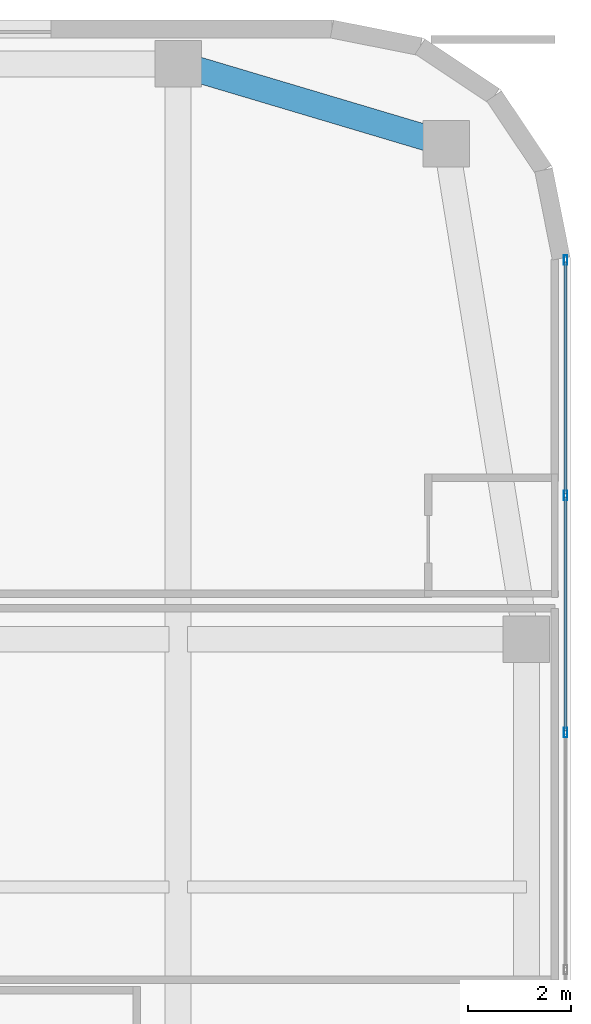
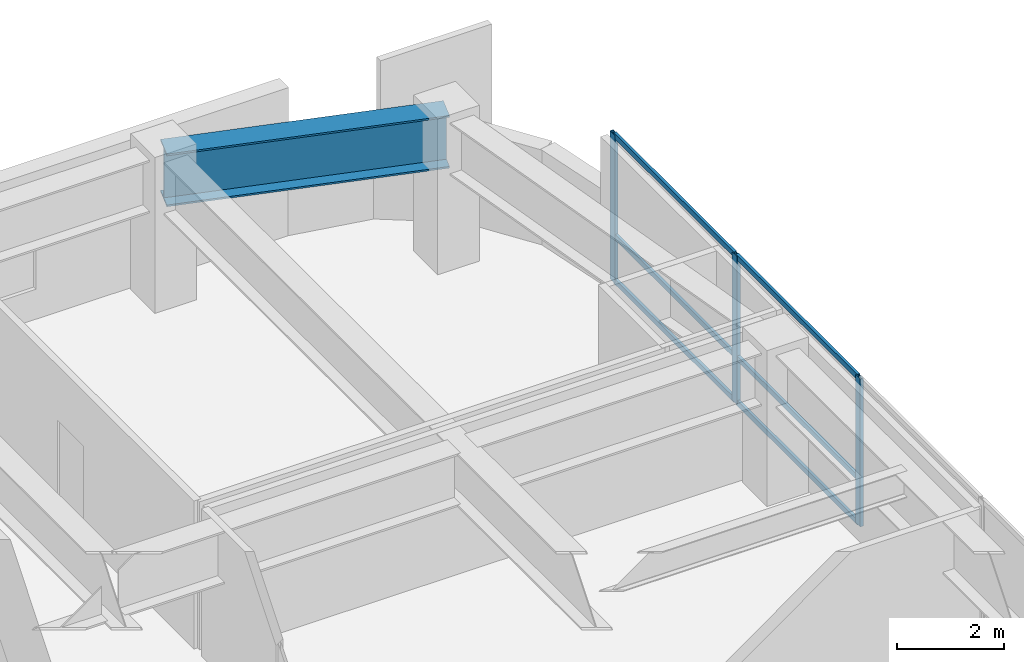
# One storey, part 14 of 25: 9 members, 1 beam, 1 element without a shape of its own.
"""IFC4 building model written with IfcOpenShell, lengths in metres."""

from ifc_helpers import new_model, si_unit, direction, frame, origin, origin_2d, place, context, subcontext, project, spatial, hollow_rectangle, i_section, extrude, source, transform, mapped, material, layer, layer_set, material_profile, profile_set, type_object, type_shapes, element, aggregate, save


model = new_model("IFC4")

# Units and contexts
model_context = context("Model", 3, precision=1e-05, world=origin(), true_north=direction((0.0, 1.0)))
body_context = subcontext(model_context, "Body", "Model", "MODEL_VIEW")
ifc_project = project(units=[si_unit("LENGTHUNIT", "METRE"), si_unit("AREAUNIT", "SQUARE_METRE"), si_unit("VOLUMEUNIT", "CUBIC_METRE"), si_unit("PLANEANGLEUNIT", "RADIAN"), si_unit("MASSUNIT", "GRAM", prefix="KILO")], contexts=[model_context])

# Site, building, storey
site_placement = place(None, origin())
site = spatial("IfcSite", under=ifc_project, at=site_placement, CompositionType="ELEMENT")
building_placement = place(site_placement, origin())
building = spatial("IfcBuilding", under=site, at=building_placement, Name="Tolvann Quenvar Hotel", CompositionType="ELEMENT")
storey_placement = place(building_placement, frame((0.0, 0.0, 122.199951171875)))
storey = spatial("IfcBuildingStorey", under=building, at=storey_placement, Name="L31", CompositionType="ELEMENT", Elevation=122.199951171875)

# Beam
ifc_material_1 = material(Name="Steel Grade 350", Category="steel")
ifc_material_profile_1 = material_profile(ifc_material_1, i_section(OverallWidth=0.5, OverallDepth=1.199951171875, WebThickness=0.01611328125, FlangeThickness=0.0400390625, at=origin_2d()), Name="1200WB455")
ifc_profile_set_1 = profile_set([ifc_material_profile_1], Name="Steel Grade 350")
beam_type = type_object("IfcBeamType", Name="BM_TG_1200WB455", PredefinedType="USERDEFINED", material=ifc_profile_set_1)
shared_shape_1 = source(origin(), body_context, "Body", "SweptSolid", [
    extrude(i_section(OverallWidth=0.5, OverallDepth=1.199951171875, WebThickness=0.01611328125, FlangeThickness=0.0400390625, at=origin_2d()), origin(), (0.0, 0.0, 1.0), 5.42626953125),
])
type_shapes(beam_type, [shared_shape_1])
beam_placement = place(storey_placement, frame((54.60009765625, 43.60009765625, 2.77001953125), z_axis=(-0.958344815522, 0.285613750654, 0.0), x_axis=(-0.285613750654, -0.958344815522, 0.0)))
element("IfcBeam", 1, at=beam_placement, inside=storey, type_object=beam_type, Name="BM-L31-FLK-E3", ObjectType="TRANSFER GIRDER", PredefinedType="USERDEFINED", context=body_context, shape_type="MappedRepresentation", body=[
    mapped(shared_shape_1, transform((0.0, 0.0, 0.0), x_axis=(1.0, 0.0, 0.0), y_axis=(0.0, 1.0, 0.0), z_axis=(0.0, 0.0, 1.0), scale=1.0)),
])

# Curtain wall, members
ifc_material_2 = material(Name="Thermally broken anodised architectural aluminium 6063-T6 and laminated low-E glass", Category="aluminium")
ifc_layer = layer(ifc_material_2, 0.179931640625)
ifc_layer_set = layer_set([ifc_layer], Name="Thermally broken anodised architectural aluminium 6063-T6 and laminated low-E glass")
curtain_wall_type = type_object("IfcCurtainWallType", Name="CW_SYS_BAND_04", PredefinedType="USERDEFINED", material=ifc_layer_set)
curtain_wall_placement = place(storey_placement, origin())
curtain_wall = element("IfcCurtainWall", 2, at=curtain_wall_placement, inside=storey, type_object=curtain_wall_type, Name="Curtain Wall CW-BAND-04 (CWR-L31-E13)", ObjectType="UNITISED CURTAIN WALL", PredefinedType="USERDEFINED")
ifc_material_3 = material(Name="Anodised architectural aluminium 6063-T6 framing", Category="aluminium")
ifc_material_profile_2 = material_profile(ifc_material_3, hollow_rectangle(XDim=0.070068359375, YDim=0.179931640625, WallThickness=0.00390625, at=origin_2d()), Name="180x70x4RHS")
ifc_profile_set_2 = profile_set([ifc_material_profile_2], Name="Anodised architectural aluminium 6063-T6 framing")
member_type_1 = type_object("IfcMemberType", Name="CW_MULL_180x70", PredefinedType="MULLION", material=ifc_profile_set_2)
shared_shape_2 = source(origin(), body_context, "Body", "SweptSolid", [
    extrude(hollow_rectangle(XDim=0.070068359375, YDim=0.179931640625, WallThickness=0.00390625, at=origin_2d()), origin(), (0.0, 0.0, 1.0), 3.3701171875),
])
type_shapes(member_type_1, [shared_shape_2])
member_1_placement = place(storey_placement, frame((56.909912109375, 32.19140625, 0.0), z_axis=(0.0, 0.0, 1.0), x_axis=(-1.0, 0.0, 0.0)))
member_1 = element("IfcMember", 3, at=member_1_placement, type_object=member_type_1, Name="CW-BAND-04 mullion 7", PredefinedType="MULLION", context=body_context, shape_type="MappedRepresentation", body=[
    mapped(shared_shape_2, transform((0.0, 0.0, 0.0), x_axis=(1.0, 0.0, 0.0), y_axis=(0.0, 1.0, 0.0), z_axis=(0.0, 0.0, 1.0), scale=1.0)),
])
member_2_placement = place(storey_placement, frame((56.909912109375, 36.787109375, 0.0), z_axis=(0.0, 0.0, 1.0), x_axis=(-1.0, 0.0, 0.0)))
member_2 = element("IfcMember", 4, at=member_2_placement, type_object=member_type_1, Name="CW-BAND-04 mullion 8", PredefinedType="MULLION", context=body_context, shape_type="MappedRepresentation", body=[
    mapped(shared_shape_2, transform((0.0, 0.0, 0.0), x_axis=(1.0, 0.0, 0.0), y_axis=(0.0, 1.0, 0.0), z_axis=(0.0, 0.0, 1.0), scale=1.0)),
])
member_3_placement = place(storey_placement, frame((56.909912109375, 41.347900390625, 0.0), z_axis=(0.0, 0.0, 1.0), x_axis=(-1.0, 0.0, 0.0)))
member_3 = element("IfcMember", 5, at=member_3_placement, type_object=member_type_1, Name="CW-BAND-04 mullion 9", PredefinedType="MULLION", context=body_context, shape_type="MappedRepresentation", body=[
    mapped(shared_shape_2, transform((0.0, 0.0, 0.0), x_axis=(1.0, 0.0, 0.0), y_axis=(0.0, 1.0, 0.0), z_axis=(0.0, 0.0, 1.0), scale=1.0)),
])
ifc_material_profile_3 = material_profile(ifc_material_3, hollow_rectangle(XDim=0.06005859375, YDim=0.1201171875, WallThickness=0.00341796875, at=origin_2d()), Name="120x60x3.5RHS")
ifc_profile_set_3 = profile_set([ifc_material_profile_3], Name="Anodised architectural aluminium 6063-T6 framing")
member_type_2 = type_object("IfcMemberType", Name="CW_TRAN_120x60", PredefinedType="USERDEFINED", material=ifc_profile_set_3)
shared_shape_3 = source(origin(), body_context, "Body", "SweptSolid", [
    extrude(hollow_rectangle(XDim=0.06005859375, YDim=0.1201171875, WallThickness=0.00341796875, at=origin_2d()), origin(), (0.0, 0.0, 1.0), 4.49072265625),
])
member_4_placement = place(storey_placement, frame((56.909912109375, 36.822021484375, 0.030029296875), z_axis=(0.0, 1.0, 0.0), x_axis=(-1.0, 0.0, 0.0)))
member_4 = element("IfcMember", 6, at=member_4_placement, type_object=member_type_2, Name="CW-BAND-04 transom 8.1", ObjectType="TRANSOM", PredefinedType="USERDEFINED", context=body_context, shape_type="MappedRepresentation", body=[
    mapped(shared_shape_3, transform((0.0, 0.0, 0.0), x_axis=(1.0, 0.0, 0.0), y_axis=(0.0, 1.0, 0.0), z_axis=(0.0, 0.0, 1.0), scale=1.0)),
])
member_5_placement = place(storey_placement, frame((56.909912109375, 36.822021484375, 1.050048828125), z_axis=(0.0, 1.0, 0.0), x_axis=(-1.0, 0.0, 0.0)))
member_5 = element("IfcMember", 7, at=member_5_placement, type_object=member_type_2, Name="CW-BAND-04 transom 8.2", ObjectType="TRANSOM", PredefinedType="USERDEFINED", context=body_context, shape_type="MappedRepresentation", body=[
    mapped(shared_shape_3, transform((0.0, 0.0, 0.0), x_axis=(1.0, 0.0, 0.0), y_axis=(0.0, 1.0, 0.0), z_axis=(0.0, 0.0, 1.0), scale=1.0)),
])
member_6_placement = place(storey_placement, frame((56.909912109375, 36.822021484375, 3.340087890625), z_axis=(0.0, 1.0, 0.0), x_axis=(-1.0, 0.0, 0.0)))
member_6 = element("IfcMember", 8, at=member_6_placement, type_object=member_type_2, Name="CW-BAND-04 transom 8.3", ObjectType="TRANSOM", PredefinedType="USERDEFINED", context=body_context, shape_type="MappedRepresentation", body=[
    mapped(shared_shape_3, transform((0.0, 0.0, 0.0), x_axis=(1.0, 0.0, 0.0), y_axis=(0.0, 1.0, 0.0), z_axis=(0.0, 0.0, 1.0), scale=1.0)),
])
shared_shape_4 = source(origin(), body_context, "Body", "SweptSolid", [
    extrude(hollow_rectangle(XDim=0.06005859375, YDim=0.1201171875, WallThickness=0.00341796875, at=origin_2d()), origin(), (0.0, 0.0, 1.0), 4.52587890625),
])
type_shapes(member_type_2, [shared_shape_3, shared_shape_4])
member_7_placement = place(storey_placement, frame((56.909912109375, 32.226318359375, 0.030029296875), z_axis=(0.0, 1.0, 0.0), x_axis=(-1.0, 0.0, 0.0)))
member_7 = element("IfcMember", 9, at=member_7_placement, type_object=member_type_2, Name="CW-BAND-04 transom 7.1", ObjectType="TRANSOM", PredefinedType="USERDEFINED", context=body_context, shape_type="MappedRepresentation", body=[
    mapped(shared_shape_4, transform((0.0, 0.0, 0.0), x_axis=(1.0, 0.0, 0.0), y_axis=(0.0, 1.0, 0.0), z_axis=(0.0, 0.0, 1.0), scale=1.0)),
])
member_8_placement = place(storey_placement, frame((56.909912109375, 32.226318359375, 1.050048828125), z_axis=(0.0, 1.0, 0.0), x_axis=(-1.0, 0.0, 0.0)))
member_8 = element("IfcMember", 10, at=member_8_placement, type_object=member_type_2, Name="CW-BAND-04 transom 7.2", ObjectType="TRANSOM", PredefinedType="USERDEFINED", context=body_context, shape_type="MappedRepresentation", body=[
    mapped(shared_shape_4, transform((0.0, 0.0, 0.0), x_axis=(1.0, 0.0, 0.0), y_axis=(0.0, 1.0, 0.0), z_axis=(0.0, 0.0, 1.0), scale=1.0)),
])
member_9_placement = place(storey_placement, frame((56.909912109375, 32.226318359375, 3.340087890625), z_axis=(0.0, 1.0, 0.0), x_axis=(-1.0, 0.0, 0.0)))
member_9 = element("IfcMember", 11, at=member_9_placement, type_object=member_type_2, Name="CW-BAND-04 transom 7.3", ObjectType="TRANSOM", PredefinedType="USERDEFINED", context=body_context, shape_type="MappedRepresentation", body=[
    mapped(shared_shape_4, transform((0.0, 0.0, 0.0), x_axis=(1.0, 0.0, 0.0), y_axis=(0.0, 1.0, 0.0), z_axis=(0.0, 0.0, 1.0), scale=1.0)),
])
aggregate(curtain_wall, [member_1, member_2, member_3, member_7, member_8, member_9, member_4, member_5, member_6])

save(model, "model.ifc")
